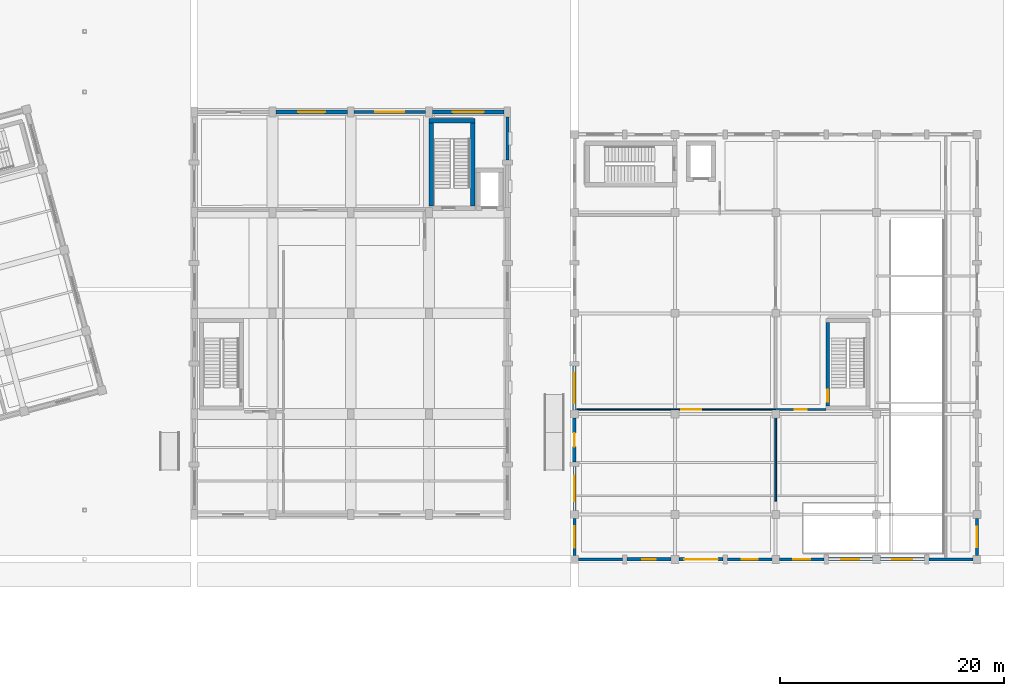
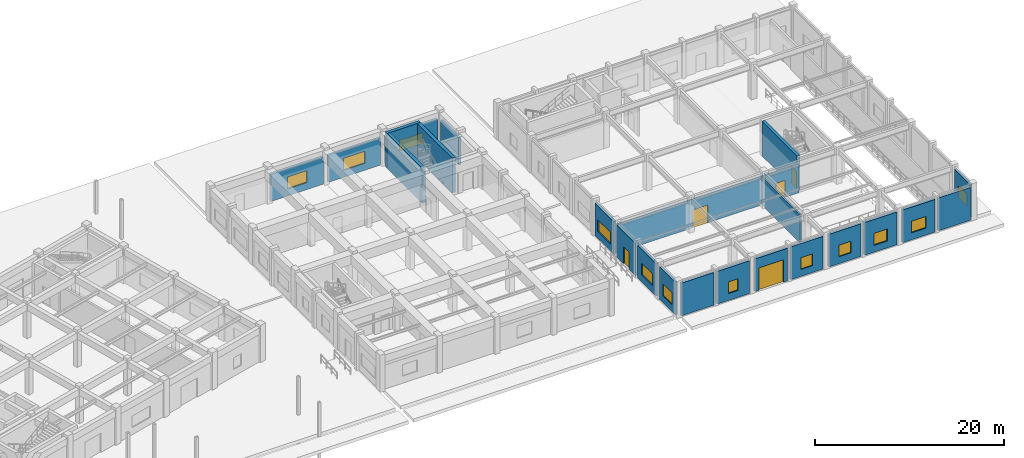
# One storey, part 38 of 47: 24 walls, 12 windows, 5 doors, 17 openings.
"""IFC4 building model written with IfcOpenShell, lengths in metres."""

from ifc_helpers import new_model, si_unit, direction, frame, frame_2d, origin, place, context, subcontext, project, spatial, rectangle, extrude, material, layer, layer_set, type_object, element, fill, save


model = new_model("IFC4")

# Units and contexts
model_context = context("Model", 3, precision=1e-05, world=origin(), true_north=direction((0.0, 1.0)))
body_context = subcontext(model_context, "Body", "Model", "MODEL_VIEW")
ifc_project = project(units=[si_unit("LENGTHUNIT", "METRE"), si_unit("AREAUNIT", "SQUARE_METRE"), si_unit("VOLUMEUNIT", "CUBIC_METRE"), si_unit("PLANEANGLEUNIT", "RADIAN"), si_unit("MASSUNIT", "GRAM", prefix="KILO")], contexts=[model_context])

# Site, building, storey
site_placement = place(None, origin())
site = spatial("IfcSite", under=ifc_project, at=site_placement, CompositionType="ELEMENT")
building_placement = place(site_placement, origin())
building = spatial("IfcBuilding", under=site, at=building_placement, Name="Ventoquebrada Cableway Terminal", CompositionType="ELEMENT")
storey_placement = place(building_placement, origin())
storey = spatial("IfcBuildingStorey", under=building, at=storey_placement, Name="L00", CompositionType="ELEMENT", Elevation=0.0)

# Walls
ifc_material_1 = material(Name="Concrete C40/50", Category="concrete")
ifc_layer_1 = layer(ifc_material_1, 0.39990234375)
ifc_layer_set_1 = layer_set([ifc_layer_1], Name="Concrete C40/50")
wall_type_1 = type_object("IfcWallType", Name="WL-CR1", PredefinedType="SHEAR", material=ifc_layer_set_1)
wall_1_placement = place(storey_placement, frame((119.89990234375, 95.60009765625, 0.0), z_axis=(0.0, 0.0, 1.0), x_axis=(0.0, 1.0, 0.0)))
element("IfcWall", 1, at=wall_1_placement, inside=storey, type_object=wall_type_1, Name="Core shear wall IW-0130", PredefinedType="SHEAR", context=body_context, shape_type="SweptSolid", body=[
    extrude(rectangle(XDim=7.39990234375, YDim=0.39990234375, at=frame_2d((3.699951171875, 0.0))), origin(), (0.0, 0.0, 1.0), 4.489990234375),
])
wall_2_placement = place(storey_placement, frame((120.10009765625, 103.199951171875, 0.0), z_axis=(0.0, 0.0, 1.0), x_axis=(-1.0, 0.0, 0.0)))
element("IfcWall", 2, at=wall_2_placement, inside=storey, type_object=wall_type_1, Name="Core shear wall IW-0131", PredefinedType="SHEAR", context=body_context, shape_type="SweptSolid", body=[
    extrude(rectangle(XDim=4.10009765625, YDim=0.39990234375, at=frame_2d((2.050048828125, 0.0))), origin(), (0.0, 0.0, 1.0), 4.489990234375),
])
wall_3_placement = place(storey_placement, frame((116.199951171875, 103.0, 0.0), z_axis=(0.0, 0.0, 1.0), x_axis=(0.0, -1.0, 0.0)))
element("IfcWall", 3, at=wall_3_placement, inside=storey, type_object=wall_type_1, Name="Core shear wall IW-0132", PredefinedType="SHEAR", context=body_context, shape_type="SweptSolid", body=[
    extrude(rectangle(XDim=7.39990234375, YDim=0.39990234375, at=frame_2d((3.699951171875, 0.0))), origin(), (0.0, 0.0, 1.0), 4.489990234375),
])
ifc_material_2 = material(Name="Precast architectural concrete C40/50", Category="concrete")
ifc_layer_2 = layer(ifc_material_2, 0.280029296875)
ifc_layer_set_2 = layer_set([ifc_layer_2], Name="Precast architectural concrete C40/50")
wall_type_2 = type_object("IfcWallType", Name="WL-EX1", PredefinedType="SOLIDWALL", material=ifc_layer_set_2)
wall_4_placement = place(storey_placement, frame((123.0, 99.719970703125, 0.0), z_axis=(0.0, 0.0, 1.0), x_axis=(0.0, 1.0, 0.0)))
element("IfcWall", 4, at=wall_4_placement, inside=storey, type_object=wall_type_2, Name="Exterior architectural wall EW-0190", PredefinedType="SOLIDWALL", context=body_context, shape_type="SweptSolid", body=[
    extrude(rectangle(XDim=3.8349609375, YDim=0.280029296875, at=frame_2d((1.91748046875, 0.0))), origin(), (0.0, 0.0, 1.0), 3.4951171875),
])

# Wall, opening, window
wall_5_placement = place(storey_placement, frame((115.705078125, 104.0, 0.0), z_axis=(0.0, 0.0, 1.0), x_axis=(-1.0, 0.0, 0.0)))
wall_5 = element("IfcWall", 5, at=wall_5_placement, inside=storey, type_object=wall_type_2, Name="Exterior architectural wall EW-0193", PredefinedType="SOLIDWALL", context=body_context, shape_type="SweptSolid", body=[
    extrude(rectangle(XDim=6.41015625, YDim=0.280029296875, at=frame_2d((3.205078125, 0.0))), origin(), (0.0, 0.0, 1.0), 3.4951171875),
])
opening_1_placement = place(wall_5_placement, frame((1.905029296875, 0.0, 0.89990234375)))
opening_1 = element("IfcOpeningElement", 6, at=opening_1_placement, cuts=wall_5, Name="Opening WN-092", PredefinedType="OPENING", context=body_context, shape_type="SweptSolid", body=[
    extrude(rectangle(XDim=2.60009765625, YDim=1.550048828125, at=frame_2d((1.300048828125, 0.77490234375))), frame((0.0, 0.14990234375, 0.0), z_axis=(0.0, -1.0, 0.0), x_axis=(1.0, 0.0, 0.0)), (0.0, 0.0, 1.0), 0.300048828125),
])
ifc_material_3 = material(Name="Double low-e laminated safety glazing", Category="glass")
window_type_1 = type_object("IfcWindowType", Name="WT-12", PartitioningType="SINGLE_PANEL", PredefinedType="WINDOW", material=ifc_material_3)
window_1_placement = place(opening_1_placement, origin())
window_1 = element("IfcWindow", 7, at=window_1_placement, inside=storey, type_object=window_type_1, Name="Architectural punched window WN-092", OverallHeight=1.550048828125, OverallWidth=2.60009765625, PartitioningType="SINGLE_PANEL", PredefinedType="WINDOW", context=body_context, shape_type="SweptSolid", body=[
    extrude(rectangle(XDim=2.60009765625, YDim=1.550048828125, at=frame_2d((1.300048828125, 0.77490234375))), frame((0.0, 0.030029296875, 0.0), z_axis=(0.0, -1.0, 0.0), x_axis=(1.0, 0.0, 0.0)), (0.0, 0.0, 1.0), 0.06005859375),
])
fill(opening_1, window_1)

# Wall
wall_6_placement = place(storey_placement, frame((129.344970703125, 64.0, 0.0), z_axis=(0.0, 0.0, 1.0), x_axis=(1.0, 0.0, 0.0)))
element("IfcWall", 8, at=wall_6_placement, inside=storey, type_object=wall_type_2, Name="Exterior architectural wall EW-0229", PredefinedType="SOLIDWALL", context=body_context, shape_type="SweptSolid", body=[
    extrude(rectangle(XDim=3.9599609375, YDim=0.280029296875, at=frame_2d((1.97998046875, 0.0))), origin(), (0.0, 0.0, 1.0), 4.22509765625),
])

# Wall, opening, window
wall_7_placement = place(storey_placement, frame((142.695068359375, 64.0, 0.0), z_axis=(0.0, 0.0, 1.0), x_axis=(1.0, 0.0, 0.0)))
wall_7 = element("IfcWall", 9, at=wall_7_placement, inside=storey, type_object=wall_type_2, Name="Exterior architectural wall EW-0232", PredefinedType="SOLIDWALL", context=body_context, shape_type="SweptSolid", body=[
    extrude(rectangle(XDim=3.9599609375, YDim=0.280029296875, at=frame_2d((1.97998046875, 0.0))), origin(), (0.0, 0.0, 1.0), 4.22509765625),
])
opening_2_placement = place(wall_7_placement, frame((1.280029296875, 0.0, 0.89990234375)))
opening_2 = element("IfcOpeningElement", 10, at=opening_2_placement, cuts=wall_7, Name="Opening WN-122", PredefinedType="OPENING", context=body_context, shape_type="SweptSolid", body=[
    extrude(rectangle(XDim=1.39990234375, YDim=1.5, at=frame_2d((0.699951171875, 0.75))), frame((0.0, 0.14990234375, 0.0), z_axis=(0.0, -1.0, 0.0), x_axis=(1.0, 0.0, 0.0)), (0.0, 0.0, 1.0), 0.300048828125),
])
window_type_2 = type_object("IfcWindowType", Name="WT-02", PartitioningType="SINGLE_PANEL", PredefinedType="WINDOW", material=ifc_material_3)
window_2_placement = place(opening_2_placement, origin())
window_2 = element("IfcWindow", 11, at=window_2_placement, inside=storey, type_object=window_type_2, Name="Architectural punched window WN-122", OverallHeight=1.5, OverallWidth=1.39990234375, PartitioningType="SINGLE_PANEL", PredefinedType="WINDOW", context=body_context, shape_type="SweptSolid", body=[
    extrude(rectangle(XDim=1.39990234375, YDim=1.5, at=frame_2d((0.699951171875, 0.75))), frame((0.0, 0.030029296875, 0.0), z_axis=(0.0, -1.0, 0.0), x_axis=(1.0, 0.0, 0.0)), (0.0, 0.0, 1.0), 0.06005859375),
])
fill(opening_2, window_2)

wall_8_placement = place(storey_placement, frame((147.344970703125, 64.0, 0.0), z_axis=(0.0, 0.0, 1.0), x_axis=(1.0, 0.0, 0.0)))
wall_8 = element("IfcWall", 12, at=wall_8_placement, inside=storey, type_object=wall_type_2, Name="Exterior architectural wall EW-0233", PredefinedType="SOLIDWALL", context=body_context, shape_type="SweptSolid", body=[
    extrude(rectangle(XDim=3.9599609375, YDim=0.280029296875, at=frame_2d((1.97998046875, 0.0))), origin(), (0.0, 0.0, 1.0), 4.22509765625),
])
opening_3_placement = place(wall_8_placement, frame((1.22998046875, 0.0, 0.89990234375)))
opening_3 = element("IfcOpeningElement", 13, at=opening_3_placement, cuts=wall_8, Name="Opening WN-123", PredefinedType="OPENING", context=body_context, shape_type="SweptSolid", body=[
    extrude(rectangle(XDim=1.5, YDim=1.5, at=frame_2d((0.75, 0.75))), frame((0.0, 0.14990234375, 0.0), z_axis=(0.0, -1.0, 0.0), x_axis=(1.0, 0.0, 0.0)), (0.0, 0.0, 1.0), 0.300048828125),
])
window_type_3 = type_object("IfcWindowType", Name="WT-03", PartitioningType="SINGLE_PANEL", PredefinedType="WINDOW", material=ifc_material_3)
window_3_placement = place(opening_3_placement, origin())
window_3 = element("IfcWindow", 14, at=window_3_placement, inside=storey, type_object=window_type_3, Name="Architectural punched window WN-123", OverallHeight=1.5, OverallWidth=1.5, PartitioningType="SINGLE_PANEL", PredefinedType="WINDOW", context=body_context, shape_type="SweptSolid", body=[
    extrude(rectangle(XDim=1.5, YDim=1.5, at=frame_2d((0.75, 0.75))), frame((0.0, 0.030029296875, 0.0), z_axis=(0.0, -1.0, 0.0), x_axis=(1.0, 0.0, 0.0)), (0.0, 0.0, 1.0), 0.06005859375),
])
fill(opening_3, window_3)

# Wall
wall_9_placement = place(storey_placement, frame((160.695068359375, 64.0, 0.0), z_axis=(0.0, 0.0, 1.0), x_axis=(1.0, 0.0, 0.0)))
element("IfcWall", 15, at=wall_9_placement, inside=storey, type_object=wall_type_2, Name="Exterior architectural wall EW-0236", PredefinedType="SOLIDWALL", context=body_context, shape_type="SweptSolid", body=[
    extrude(rectangle(XDim=3.9599609375, YDim=0.280029296875, at=frame_2d((1.97998046875, 0.0))), origin(), (0.0, 0.0, 1.0), 4.22509765625),
])

# Wall, opening, window
wall_10_placement = place(storey_placement, frame((165.0, 64.344970703125, 0.0), z_axis=(0.0, 0.0, 1.0), x_axis=(0.0, 1.0, 0.0)))
wall_10 = element("IfcWall", 16, at=wall_10_placement, inside=storey, type_object=wall_type_2, Name="Exterior architectural wall EW-0237", PredefinedType="SOLIDWALL", context=body_context, shape_type="SweptSolid", body=[
    extrude(rectangle(XDim=3.31005859375, YDim=0.280029296875, at=frame_2d((1.655029296875, 0.0))), origin(), (0.0, 0.0, 1.0), 4.22509765625),
])
opening_4_placement = place(wall_10_placement, frame((0.7548828125, 0.0, 0.89990234375)))
opening_4 = element("IfcOpeningElement", 17, at=opening_4_placement, cuts=wall_10, Name="Opening WN-126", PredefinedType="OPENING", context=body_context, shape_type="SweptSolid", body=[
    extrude(rectangle(XDim=1.800048828125, YDim=1.60009765625, at=frame_2d((0.89990234375, 0.800048828125))), frame((0.0, 0.14990234375, 0.0), z_axis=(0.0, -1.0, 0.0), x_axis=(1.0, 0.0, 0.0)), (0.0, 0.0, 1.0), 0.300048828125),
])
window_type_4 = type_object("IfcWindowType", Name="WT-06", PartitioningType="SINGLE_PANEL", PredefinedType="WINDOW", material=ifc_material_3)
window_4_placement = place(opening_4_placement, origin())
window_4 = element("IfcWindow", 18, at=window_4_placement, inside=storey, type_object=window_type_4, Name="Architectural punched window WN-126", OverallHeight=1.60009765625, OverallWidth=1.800048828125, PartitioningType="SINGLE_PANEL", PredefinedType="WINDOW", context=body_context, shape_type="SweptSolid", body=[
    extrude(rectangle(XDim=1.800048828125, YDim=1.60009765625, at=frame_2d((0.89990234375, 0.800048828125))), frame((0.0, 0.030029296875, 0.0), z_axis=(0.0, -1.0, 0.0), x_axis=(1.0, 0.0, 0.0)), (0.0, 0.0, 1.0), 0.06005859375),
])
fill(opening_4, window_4)

wall_11_placement = place(storey_placement, frame((129.0, 67.655029296875, 0.0), z_axis=(0.0, 0.0, 1.0), x_axis=(0.0, -1.0, 0.0)))
wall_11 = element("IfcWall", 19, at=wall_11_placement, inside=storey, type_object=wall_type_2, Name="Exterior architectural wall EW-0253", PredefinedType="SOLIDWALL", context=body_context, shape_type="SweptSolid", body=[
    extrude(rectangle(XDim=3.31005859375, YDim=0.280029296875, at=frame_2d((1.655029296875, 0.0))), origin(), (0.0, 0.0, 1.0), 4.22509765625),
])
opening_5_placement = place(wall_11_placement, frame((0.705078125, 0.0, 0.89990234375)))
opening_5 = element("IfcOpeningElement", 20, at=opening_5_placement, cuts=wall_11, Name="Opening WN-137", PredefinedType="OPENING", context=body_context, shape_type="SweptSolid", body=[
    extrude(rectangle(XDim=1.89990234375, YDim=1.550048828125, at=frame_2d((0.949951171875, 0.77490234375))), frame((0.0, 0.14990234375, 0.0), z_axis=(0.0, -1.0, 0.0), x_axis=(1.0, 0.0, 0.0)), (0.0, 0.0, 1.0), 0.300048828125),
])
window_type_5 = type_object("IfcWindowType", Name="WT-17", PartitioningType="SINGLE_PANEL", PredefinedType="WINDOW", material=ifc_material_3)
window_5_placement = place(opening_5_placement, origin())
window_5 = element("IfcWindow", 21, at=window_5_placement, inside=storey, type_object=window_type_5, Name="Architectural punched window WN-137", OverallHeight=1.550048828125, OverallWidth=1.89990234375, PartitioningType="SINGLE_PANEL", PredefinedType="WINDOW", context=body_context, shape_type="SweptSolid", body=[
    extrude(rectangle(XDim=1.89990234375, YDim=1.550048828125, at=frame_2d((0.949951171875, 0.77490234375))), frame((0.0, 0.030029296875, 0.0), z_axis=(0.0, -1.0, 0.0), x_axis=(1.0, 0.0, 0.0)), (0.0, 0.0, 1.0), 0.06005859375),
])
fill(opening_5, window_5)

wall_12_placement = place(storey_placement, frame((129.0, 72.304931640625, 0.0), z_axis=(0.0, 0.0, 1.0), x_axis=(0.0, -1.0, 0.0)))
wall_12 = element("IfcWall", 22, at=wall_12_placement, inside=storey, type_object=wall_type_2, Name="Exterior architectural wall EW-0255", PredefinedType="SOLIDWALL", context=body_context, shape_type="SweptSolid", body=[
    extrude(rectangle(XDim=3.9599609375, YDim=0.280029296875, at=frame_2d((1.97998046875, 0.0))), origin(), (0.0, 0.0, 1.0), 4.169921875),
])
opening_6_placement = place(wall_12_placement, frame((0.830078125, 0.0, 0.89990234375)))
opening_6 = element("IfcOpeningElement", 23, at=opening_6_placement, cuts=wall_12, Name="Opening WN-138", PredefinedType="OPENING", context=body_context, shape_type="SweptSolid", body=[
    extrude(rectangle(XDim=2.300048828125, YDim=1.5, at=frame_2d((1.14990234375, 0.75))), frame((0.0, 0.14990234375, 0.0), z_axis=(0.0, -1.0, 0.0), x_axis=(1.0, 0.0, 0.0)), (0.0, 0.0, 1.0), 0.300048828125),
])
window_type_6 = type_object("IfcWindowType", Name="WT-18", PartitioningType="SINGLE_PANEL", PredefinedType="WINDOW", material=ifc_material_3)
window_6_placement = place(opening_6_placement, origin())
window_6 = element("IfcWindow", 24, at=window_6_placement, inside=storey, type_object=window_type_6, Name="Architectural punched window WN-138", OverallHeight=1.5, OverallWidth=2.300048828125, PartitioningType="SINGLE_PANEL", PredefinedType="WINDOW", context=body_context, shape_type="SweptSolid", body=[
    extrude(rectangle(XDim=2.300048828125, YDim=1.5, at=frame_2d((1.14990234375, 0.75))), frame((0.0, 0.030029296875, 0.0), z_axis=(0.0, -1.0, 0.0), x_axis=(1.0, 0.0, 0.0)), (0.0, 0.0, 1.0), 0.06005859375),
])
fill(opening_6, window_6)

ifc_layer_3 = layer(ifc_material_2, 0.320068359375)
ifc_layer_set_3 = layer_set([ifc_layer_3], Name="Precast architectural concrete C40/50")
wall_type_3 = type_object("IfcWallType", Name="WL-EX2", PredefinedType="SOLIDWALL", material=ifc_layer_set_3)
wall_13_placement = place(storey_placement, frame((108.705078125, 104.0, 0.0), z_axis=(0.0, 0.0, 1.0), x_axis=(-1.0, 0.0, 0.0)))
wall_13 = element("IfcWall", 25, at=wall_13_placement, inside=storey, type_object=wall_type_3, Name="Exterior architectural wall EW-0192", PredefinedType="SOLIDWALL", context=body_context, shape_type="SweptSolid", body=[
    extrude(rectangle(XDim=6.41015625, YDim=0.320068359375, at=frame_2d((3.205078125, 0.0))), origin(), (0.0, 0.0, 1.0), 3.4951171875),
])
opening_7_placement = place(wall_13_placement, frame((2.0048828125, 0.0, 0.89990234375)))
opening_7 = element("IfcOpeningElement", 26, at=opening_7_placement, cuts=wall_13, Name="Opening WN-091", PredefinedType="OPENING", context=body_context, shape_type="SweptSolid", body=[
    extrude(rectangle(XDim=2.39990234375, YDim=1.550048828125, at=frame_2d((1.199951171875, 0.77490234375))), frame((0.0, 0.169921875, 0.0), z_axis=(0.0, -1.0, 0.0), x_axis=(1.0, 0.0, 0.0)), (0.0, 0.0, 1.0), 0.340087890625),
])
window_type_7 = type_object("IfcWindowType", Name="WT-11", PartitioningType="SINGLE_PANEL", PredefinedType="WINDOW", material=ifc_material_3)
window_7_placement = place(opening_7_placement, origin())
window_7 = element("IfcWindow", 27, at=window_7_placement, inside=storey, type_object=window_type_7, Name="Architectural punched window WN-091", OverallHeight=1.550048828125, OverallWidth=2.39990234375, PartitioningType="SINGLE_PANEL", PredefinedType="WINDOW", context=body_context, shape_type="SweptSolid", body=[
    extrude(rectangle(XDim=2.39990234375, YDim=1.550048828125, at=frame_2d((1.199951171875, 0.77490234375))), frame((0.0, 0.030029296875, 0.0), z_axis=(0.0, -1.0, 0.0), x_axis=(1.0, 0.0, 0.0)), (0.0, 0.0, 1.0), 0.06005859375),
])
fill(opening_7, window_7)

wall_14_placement = place(storey_placement, frame((122.705078125, 104.0, 0.0), z_axis=(0.0, 0.0, 1.0), x_axis=(-1.0, 0.0, 0.0)))
wall_14 = element("IfcWall", 28, at=wall_14_placement, inside=storey, type_object=wall_type_3, Name="Exterior architectural wall EW-0194", PredefinedType="SOLIDWALL", context=body_context, shape_type="SweptSolid", body=[
    extrude(rectangle(XDim=6.41015625, YDim=0.320068359375, at=frame_2d((3.205078125, 0.0))), origin(), (0.0, 0.0, 1.0), 3.4951171875),
])
opening_8_placement = place(wall_14_placement, frame((1.804931640625, 0.0, 0.89990234375)))
opening_8 = element("IfcOpeningElement", 29, at=opening_8_placement, cuts=wall_14, Name="Opening WN-093", PredefinedType="OPENING", context=body_context, shape_type="SweptSolid", body=[
    extrude(rectangle(XDim=2.800048828125, YDim=1.39990234375, at=frame_2d((1.39990234375, 0.699951171875))), frame((0.0, 0.169921875, 0.0), z_axis=(0.0, -1.0, 0.0), x_axis=(1.0, 0.0, 0.0)), (0.0, 0.0, 1.0), 0.340087890625),
])
window_type_8 = type_object("IfcWindowType", Name="WT-13", PartitioningType="SINGLE_PANEL", PredefinedType="WINDOW", material=ifc_material_3)
window_8_placement = place(opening_8_placement, origin())
window_8 = element("IfcWindow", 30, at=window_8_placement, inside=storey, type_object=window_type_8, Name="Architectural punched window WN-093", OverallHeight=1.39990234375, OverallWidth=2.800048828125, PartitioningType="SINGLE_PANEL", PredefinedType="WINDOW", context=body_context, shape_type="SweptSolid", body=[
    extrude(rectangle(XDim=2.800048828125, YDim=1.39990234375, at=frame_2d((1.39990234375, 0.699951171875))), frame((0.0, 0.030029296875, 0.0), z_axis=(0.0, -1.0, 0.0), x_axis=(1.0, 0.0, 0.0)), (0.0, 0.0, 1.0), 0.06005859375),
])
fill(opening_8, window_8)

wall_15_placement = place(storey_placement, frame((133.695068359375, 64.0, 0.0), z_axis=(0.0, 0.0, 1.0), x_axis=(1.0, 0.0, 0.0)))
wall_15 = element("IfcWall", 31, at=wall_15_placement, inside=storey, type_object=wall_type_3, Name="Exterior architectural wall EW-0230", PredefinedType="SOLIDWALL", context=body_context, shape_type="SweptSolid", body=[
    extrude(rectangle(XDim=3.9599609375, YDim=0.320068359375, at=frame_2d((1.97998046875, 0.0))), origin(), (0.0, 0.0, 1.0), 4.22509765625),
])
opening_9_placement = place(wall_15_placement, frame((1.3798828125, 0.0, 0.89990234375)))
opening_9 = element("IfcOpeningElement", 32, at=opening_9_placement, cuts=wall_15, Name="Opening WN-121", PredefinedType="OPENING", context=body_context, shape_type="SweptSolid", body=[
    extrude(rectangle(XDim=1.199951171875, YDim=1.5, at=frame_2d((0.60009765625, 0.75))), frame((0.0, 0.169921875, 0.0), z_axis=(0.0, -1.0, 0.0), x_axis=(1.0, 0.0, 0.0)), (0.0, 0.0, 1.0), 0.340087890625),
])
window_type_9 = type_object("IfcWindowType", Name="WT-01", PartitioningType="SINGLE_PANEL", PredefinedType="WINDOW", material=ifc_material_3)
window_9_placement = place(opening_9_placement, origin())
window_9 = element("IfcWindow", 33, at=window_9_placement, inside=storey, type_object=window_type_9, Name="Architectural punched window WN-121", OverallHeight=1.5, OverallWidth=1.199951171875, PartitioningType="SINGLE_PANEL", PredefinedType="WINDOW", context=body_context, shape_type="SweptSolid", body=[
    extrude(rectangle(XDim=1.199951171875, YDim=1.5, at=frame_2d((0.60009765625, 0.75))), frame((0.0, 0.030029296875, 0.0), z_axis=(0.0, -1.0, 0.0), x_axis=(1.0, 0.0, 0.0)), (0.0, 0.0, 1.0), 0.06005859375),
])
fill(opening_9, window_9)

# Wall, opening, door
wall_16_placement = place(storey_placement, frame((138.344970703125, 64.0, 0.0), z_axis=(0.0, 0.0, 1.0), x_axis=(1.0, 0.0, 0.0)))
wall_16 = element("IfcWall", 34, at=wall_16_placement, inside=storey, type_object=wall_type_3, Name="Exterior architectural wall EW-0231", PredefinedType="SOLIDWALL", context=body_context, shape_type="SweptSolid", body=[
    extrude(rectangle(XDim=3.9599609375, YDim=0.320068359375, at=frame_2d((1.97998046875, 0.0))), origin(), (0.0, 0.0, 1.0), 4.22509765625),
])
opening_10_placement = place(wall_16_placement, frame((0.47998046875, 0.0, 0.0)))
opening_10 = element("IfcOpeningElement", 35, at=opening_10_placement, cuts=wall_16, Name="Opening GT-17", PredefinedType="OPENING", context=body_context, shape_type="SweptSolid", body=[
    extrude(rectangle(XDim=3.0, YDim=2.89990234375, at=frame_2d((1.5, 1.449951171875))), frame((0.0, 0.169921875, 0.0), z_axis=(0.0, -1.0, 0.0), x_axis=(1.0, 0.0, 0.0)), (0.0, 0.0, 1.0), 0.340087890625),
])
ifc_material_4 = material(Name="Galvanized acoustic steel door assembly", Category="steel")
door_type_1 = type_object("IfcDoorType", Name="DT-GT03", OperationType="SLIDING_TO_RIGHT", PredefinedType="GATE", material=ifc_material_4)
door_1_placement = place(opening_10_placement, origin())
door_1 = element("IfcDoor", 36, at=door_1_placement, inside=storey, type_object=door_type_1, Name="Exterior gt door GT-17", OperationType="SLIDING_TO_RIGHT", OverallHeight=2.89990234375, OverallWidth=3.0, PredefinedType="GATE", context=body_context, shape_type="SweptSolid", body=[
    extrude(rectangle(XDim=3.0, YDim=2.89990234375, at=frame_2d((1.5, 1.449951171875))), frame((0.0, 0.02490234375, 0.0), z_axis=(0.0, -1.0, 0.0), x_axis=(1.0, 0.0, 0.0)), (0.0, 0.0, 1.0), 0.050048828125),
])
fill(opening_10, door_1)

# Wall, opening, window
wall_17_placement = place(storey_placement, frame((151.695068359375, 64.0, 0.0), z_axis=(0.0, 0.0, 1.0), x_axis=(1.0, 0.0, 0.0)))
wall_17 = element("IfcWall", 37, at=wall_17_placement, inside=storey, type_object=wall_type_3, Name="Exterior architectural wall EW-0234", PredefinedType="SOLIDWALL", context=body_context, shape_type="SweptSolid", body=[
    extrude(rectangle(XDim=3.9599609375, YDim=0.320068359375, at=frame_2d((1.97998046875, 0.0))), origin(), (0.0, 0.0, 1.0), 4.22509765625),
])
opening_11_placement = place(wall_17_placement, frame((1.179931640625, 0.0, 0.89990234375)))
opening_11 = element("IfcOpeningElement", 38, at=opening_11_placement, cuts=wall_17, Name="Opening WN-124", PredefinedType="OPENING", context=body_context, shape_type="SweptSolid", body=[
    extrude(rectangle(XDim=1.60009765625, YDim=1.550048828125, at=frame_2d((0.800048828125, 0.77490234375))), frame((0.0, 0.169921875, 0.0), z_axis=(0.0, -1.0, 0.0), x_axis=(1.0, 0.0, 0.0)), (0.0, 0.0, 1.0), 0.340087890625),
])
window_type_10 = type_object("IfcWindowType", Name="WT-04", PartitioningType="SINGLE_PANEL", PredefinedType="WINDOW", material=ifc_material_3)
window_10_placement = place(opening_11_placement, origin())
window_10 = element("IfcWindow", 39, at=window_10_placement, inside=storey, type_object=window_type_10, Name="Architectural punched window WN-124", OverallHeight=1.550048828125, OverallWidth=1.60009765625, PartitioningType="SINGLE_PANEL", PredefinedType="WINDOW", context=body_context, shape_type="SweptSolid", body=[
    extrude(rectangle(XDim=1.60009765625, YDim=1.550048828125, at=frame_2d((0.800048828125, 0.77490234375))), frame((0.0, 0.030029296875, 0.0), z_axis=(0.0, -1.0, 0.0), x_axis=(1.0, 0.0, 0.0)), (0.0, 0.0, 1.0), 0.06005859375),
])
fill(opening_11, window_10)

wall_18_placement = place(storey_placement, frame((156.344970703125, 64.0, 0.0), z_axis=(0.0, 0.0, 1.0), x_axis=(1.0, 0.0, 0.0)))
wall_18 = element("IfcWall", 40, at=wall_18_placement, inside=storey, type_object=wall_type_3, Name="Exterior architectural wall EW-0235", PredefinedType="SOLIDWALL", context=body_context, shape_type="SweptSolid", body=[
    extrude(rectangle(XDim=3.9599609375, YDim=0.320068359375, at=frame_2d((1.97998046875, 0.0))), origin(), (0.0, 0.0, 1.0), 4.22509765625),
])
opening_12_placement = place(wall_18_placement, frame((1.080078125, 0.0, 0.89990234375)))
opening_12 = element("IfcOpeningElement", 41, at=opening_12_placement, cuts=wall_18, Name="Opening WN-125", PredefinedType="OPENING", context=body_context, shape_type="SweptSolid", body=[
    extrude(rectangle(XDim=1.800048828125, YDim=1.5, at=frame_2d((0.89990234375, 0.75))), frame((0.0, 0.169921875, 0.0), z_axis=(0.0, -1.0, 0.0), x_axis=(1.0, 0.0, 0.0)), (0.0, 0.0, 1.0), 0.340087890625),
])
window_type_11 = type_object("IfcWindowType", Name="WT-05", PartitioningType="SINGLE_PANEL", PredefinedType="WINDOW", material=ifc_material_3)
window_11_placement = place(opening_12_placement, origin())
window_11 = element("IfcWindow", 42, at=window_11_placement, inside=storey, type_object=window_type_11, Name="Architectural punched window WN-125", OverallHeight=1.5, OverallWidth=1.800048828125, PartitioningType="SINGLE_PANEL", PredefinedType="WINDOW", context=body_context, shape_type="SweptSolid", body=[
    extrude(rectangle(XDim=1.800048828125, YDim=1.5, at=frame_2d((0.89990234375, 0.75))), frame((0.0, 0.030029296875, 0.0), z_axis=(0.0, -1.0, 0.0), x_axis=(1.0, 0.0, 0.0)), (0.0, 0.0, 1.0), 0.06005859375),
])
fill(opening_12, window_11)

# Wall, opening, door
wall_19_placement = place(storey_placement, frame((129.0, 76.655029296875, 0.0), z_axis=(0.0, 0.0, 1.0), x_axis=(0.0, -1.0, 0.0)))
wall_19 = element("IfcWall", 43, at=wall_19_placement, inside=storey, type_object=wall_type_3, Name="Exterior architectural wall EW-0254", PredefinedType="SOLIDWALL", context=body_context, shape_type="SweptSolid", body=[
    extrude(rectangle(XDim=3.9599609375, YDim=0.320068359375, at=frame_2d((1.97998046875, 0.0))), origin(), (0.0, 0.0, 1.0), 4.169921875),
])
opening_13_placement = place(wall_19_placement, frame((1.3798828125, 0.0, 0.0)))
opening_13 = element("IfcOpeningElement", 44, at=opening_13_placement, cuts=wall_19, Name="Opening D-EX-20", PredefinedType="OPENING", context=body_context, shape_type="SweptSolid", body=[
    extrude(rectangle(XDim=1.199951171875, YDim=2.25, at=frame_2d((0.60009765625, 1.125))), frame((0.0, 0.169921875, 0.0), z_axis=(0.0, -1.0, 0.0), x_axis=(1.0, 0.0, 0.0)), (0.0, 0.0, 1.0), 0.340087890625),
])
door_type_2 = type_object("IfcDoorType", Name="DT-EX05", OperationType="SINGLE_SWING_RIGHT", PredefinedType="DOOR", material=ifc_material_4)
door_2_placement = place(opening_13_placement, origin())
door_2 = element("IfcDoor", 45, at=door_2_placement, inside=storey, type_object=door_type_2, Name="Exterior d-ex door D-EX-20", OperationType="SINGLE_SWING_LEFT", OverallHeight=2.25, OverallWidth=1.199951171875, PredefinedType="DOOR", context=body_context, shape_type="SweptSolid", body=[
    extrude(rectangle(XDim=1.199951171875, YDim=2.25, at=frame_2d((0.60009765625, 1.125))), frame((0.0, 0.02490234375, 0.0), z_axis=(0.0, -1.0, 0.0), x_axis=(1.0, 0.0, 0.0)), (0.0, 0.0, 1.0), 0.050048828125),
])
fill(opening_13, door_2)

# Wall, opening, window
wall_20_placement = place(storey_placement, frame((129.0, 81.304931640625, 0.0), z_axis=(0.0, 0.0, 1.0), x_axis=(0.0, -1.0, 0.0)))
wall_20 = element("IfcWall", 46, at=wall_20_placement, inside=storey, type_object=wall_type_3, Name="Exterior architectural wall EW-0257", PredefinedType="SOLIDWALL", context=body_context, shape_type="SweptSolid", body=[
    extrude(rectangle(XDim=3.9599609375, YDim=0.320068359375, at=frame_2d((1.97998046875, 0.0))), origin(), (0.0, 0.0, 1.0), 4.169921875),
])
opening_14_placement = place(wall_20_placement, frame((0.6298828125, 0.0, 0.89990234375)))
opening_14 = element("IfcOpeningElement", 47, at=opening_14_placement, cuts=wall_20, Name="Opening WN-140", PredefinedType="OPENING", context=body_context, shape_type="SweptSolid", body=[
    extrude(rectangle(XDim=2.699951171875, YDim=1.5, at=frame_2d((1.35009765625, 0.75))), frame((0.0, 0.169921875, 0.0), z_axis=(0.0, -1.0, 0.0), x_axis=(1.0, 0.0, 0.0)), (0.0, 0.0, 1.0), 0.340087890625),
])
window_type_12 = type_object("IfcWindowType", Name="WT-20", PartitioningType="SINGLE_PANEL", PredefinedType="WINDOW", material=ifc_material_3)
window_12_placement = place(opening_14_placement, origin())
window_12 = element("IfcWindow", 48, at=window_12_placement, inside=storey, type_object=window_type_12, Name="Architectural punched window WN-140", OverallHeight=1.5, OverallWidth=2.699951171875, PartitioningType="SINGLE_PANEL", PredefinedType="WINDOW", context=body_context, shape_type="SweptSolid", body=[
    extrude(rectangle(XDim=2.699951171875, YDim=1.5, at=frame_2d((1.35009765625, 0.75))), frame((0.0, 0.030029296875, 0.0), z_axis=(0.0, -1.0, 0.0), x_axis=(1.0, 0.0, 0.0)), (0.0, 0.0, 1.0), 0.06005859375),
])
fill(opening_14, window_12)

# Wall, opening, door
ifc_material_5 = material(Name="Fire-rated gypsum partition board on steel framing", Category="steel")
ifc_layer_4 = layer(ifc_material_5, 0.1201171875)
ifc_layer_set_4 = layer_set([ifc_layer_4], Name="Fire-rated gypsum partition board on steel framing")
wall_type_4 = type_object("IfcWallType", Name="WL-PT1", PredefinedType="PARTITIONING", material=ifc_layer_set_4)
wall_21_placement = place(storey_placement, frame((129.199951171875, 77.39990234375, 0.0), z_axis=(0.0, 0.0, 1.0), x_axis=(1.0, 0.0, 0.0)))
wall_21 = element("IfcWall", 49, at=wall_21_placement, inside=storey, type_object=wall_type_4, Name="Interior partition IW-0341", PredefinedType="PARTITIONING", context=body_context, shape_type="SweptSolid", body=[
    extrude(rectangle(XDim=17.800048828125, YDim=0.1201171875, at=frame_2d((8.89990234375, 0.0))), origin(), (0.0, 0.0, 1.0), 3.697998046875),
])
opening_15_placement = place(wall_21_placement, frame((9.35009765625, 0.0, 0.0)))
opening_15 = element("IfcOpeningElement", 50, at=opening_15_placement, cuts=wall_21, Name="Opening D-080", PredefinedType="OPENING", context=body_context, shape_type="SweptSolid", body=[
    extrude(rectangle(XDim=1.800048828125, YDim=2.300048828125, at=frame_2d((0.89990234375, 1.14990234375))), frame((0.0, 0.070068359375, 0.0), z_axis=(0.0, -1.0, 0.0), x_axis=(1.0, 0.0, 0.0)), (0.0, 0.0, 1.0), 0.14013671875),
])
ifc_material_6 = material(Name="Galvanized fire-rated steel door assembly", Category="steel")
door_type_3 = type_object("IfcDoorType", Name="DT-IN08", OperationType="DOUBLE_SWING_RIGHT", PredefinedType="DOOR", material=ifc_material_6)
door_3_placement = place(opening_15_placement, origin())
door_3 = element("IfcDoor", 51, at=door_3_placement, inside=storey, type_object=door_type_3, Name="Loading Bay Internal Door D-080", OperationType="DOUBLE_SWING_LEFT", OverallHeight=2.300048828125, OverallWidth=1.800048828125, PredefinedType="DOOR", context=body_context, shape_type="SweptSolid", body=[
    extrude(rectangle(XDim=1.800048828125, YDim=2.300048828125, at=frame_2d((0.89990234375, 1.14990234375))), frame((0.0, 0.02490234375, 0.0), z_axis=(0.0, -1.0, 0.0), x_axis=(1.0, 0.0, 0.0)), (0.0, 0.0, 1.0), 0.050048828125),
])
fill(opening_15, door_3)

# Wall
ifc_layer_5 = layer(ifc_material_5, 0.14990234375)
ifc_layer_set_5 = layer_set([ifc_layer_5], Name="Fire-rated gypsum partition board on steel framing")
wall_type_5 = type_object("IfcWallType", Name="WL-PT2", PredefinedType="PARTITIONING", material=ifc_layer_set_5)
wall_22_placement = place(storey_placement, frame((147.0, 69.199951171875, 0.0), z_axis=(0.0, 0.0, 1.0), x_axis=(0.0, 1.0, 0.0)))
element("IfcWall", 52, at=wall_22_placement, inside=storey, type_object=wall_type_5, Name="Interior partition IW-0342", PredefinedType="PARTITIONING", context=body_context, shape_type="SweptSolid", body=[
    extrude(rectangle(XDim=8.14208984375, YDim=0.14990234375, at=frame_2d((4.071044921875, 0.0))), origin(), (0.0, 0.0, 1.0), 3.697998046875),
])

# Wall, opening, door
ifc_layer_6 = layer(ifc_material_5, 0.179931640625)
ifc_layer_set_6 = layer_set([ifc_layer_6], Name="Fire-rated gypsum partition board on steel framing")
wall_type_6 = type_object("IfcWallType", Name="WL-PT3", PredefinedType="STANDARD", material=ifc_layer_set_6)
wall_23_placement = place(storey_placement, frame((147.0, 77.39990234375, 0.0), z_axis=(0.0, 0.0, 1.0), x_axis=(1.0, 0.0, 0.0)))
wall_23 = element("IfcWall", 53, at=wall_23_placement, inside=storey, type_object=wall_type_6, Name="Interior partition IW-0343", PredefinedType="STANDARD", context=body_context, shape_type="SweptSolid", body=[
    extrude(rectangle(XDim=4.47509765625, YDim=0.179931640625, at=frame_2d((2.237548828125, 0.0))), origin(), (0.0, 0.0, 1.0), 3.697998046875),
])
opening_16_placement = place(wall_23_placement, frame((1.68701171875, 0.0, 0.0)))
opening_16 = element("IfcOpeningElement", 54, at=opening_16_placement, cuts=wall_23, Name="Opening D-081", PredefinedType="OPENING", context=body_context, shape_type="SweptSolid", body=[
    extrude(rectangle(XDim=1.10009765625, YDim=2.199951171875, at=frame_2d((0.550048828125, 1.10009765625))), frame((0.0, 0.099853515625, 0.0), z_axis=(0.0, -1.0, 0.0), x_axis=(1.0, 0.0, 0.0)), (0.0, 0.0, 1.0), 0.199951171875),
])
door_type_4 = type_object("IfcDoorType", Name="DT-IN04", OperationType="SINGLE_SWING_RIGHT", PredefinedType="DOOR", material=ifc_material_6)
door_4_placement = place(opening_16_placement, origin())
door_4 = element("IfcDoor", 55, at=door_4_placement, inside=storey, type_object=door_type_4, Name="NDT Rope Lab Door D-081", OperationType="SINGLE_SWING_RIGHT", OverallHeight=2.199951171875, OverallWidth=1.10009765625, PredefinedType="DOOR", context=body_context, shape_type="SweptSolid", body=[
    extrude(rectangle(XDim=1.10009765625, YDim=2.199951171875, at=frame_2d((0.550048828125, 1.10009765625))), frame((0.0, 0.02490234375, 0.0), z_axis=(0.0, -1.0, 0.0), x_axis=(1.0, 0.0, 0.0)), (0.0, 0.0, 1.0), 0.050048828125),
])
fill(opening_16, door_4)

ifc_layer_7 = layer(ifc_material_1, 0.35009765625)
ifc_layer_set_7 = layer_set([ifc_layer_7], Name="Concrete C40/50")
wall_type_7 = type_object("IfcWallType", Name="WL-SH1", PredefinedType="SHEAR", material=ifc_layer_set_7)
wall_24_placement = place(storey_placement, frame((151.64990234375, 85.175048828125, 0.0), z_axis=(0.0, 0.0, 1.0), x_axis=(0.0, -1.0, 0.0)))
wall_24 = element("IfcWall", 56, at=wall_24_placement, inside=storey, type_object=wall_type_7, Name="Core shear wall IW-0252", PredefinedType="SHEAR", context=body_context, shape_type="SweptSolid", body=[
    extrude(rectangle(XDim=7.449951171875, YDim=0.35009765625, at=frame_2d((3.72509765625, 0.0))), origin(), (0.0, 0.0, 1.0), 4.489990234375),
])
opening_17_placement = place(wall_24_placement, frame((6.0, 0.0, 0.0)))
opening_17 = element("IfcOpeningElement", 57, at=opening_17_placement, cuts=wall_24, Name="Opening D-037", PredefinedType="OPENING", context=body_context, shape_type="SweptSolid", body=[
    extrude(rectangle(XDim=1.10009765625, YDim=2.199951171875, at=frame_2d((0.550048828125, 1.10009765625))), frame((0.0, 0.18505859375, 0.0), z_axis=(0.0, -1.0, 0.0), x_axis=(1.0, 0.0, 0.0)), (0.0, 0.0, 1.0), 0.3701171875),
])
door_type_5 = type_object("IfcDoorType", Name="DT-IN05", OperationType="SINGLE_SWING_LEFT", PredefinedType="DOOR", material=ifc_material_6)
door_5_placement = place(opening_17_placement, origin())
door_5 = element("IfcDoor", 58, at=door_5_placement, inside=storey, type_object=door_type_5, Name="Core V4-SEC stair fire door D-037", OperationType="SINGLE_SWING_RIGHT", OverallHeight=2.199951171875, OverallWidth=1.10009765625, PredefinedType="DOOR", context=body_context, shape_type="SweptSolid", body=[
    extrude(rectangle(XDim=1.10009765625, YDim=2.199951171875, at=frame_2d((0.550048828125, 1.10009765625))), frame((0.0, 0.02490234375, 0.0), z_axis=(0.0, -1.0, 0.0), x_axis=(1.0, 0.0, 0.0)), (0.0, 0.0, 1.0), 0.050048828125),
])
fill(opening_17, door_5)

save(model, "model.ifc")
